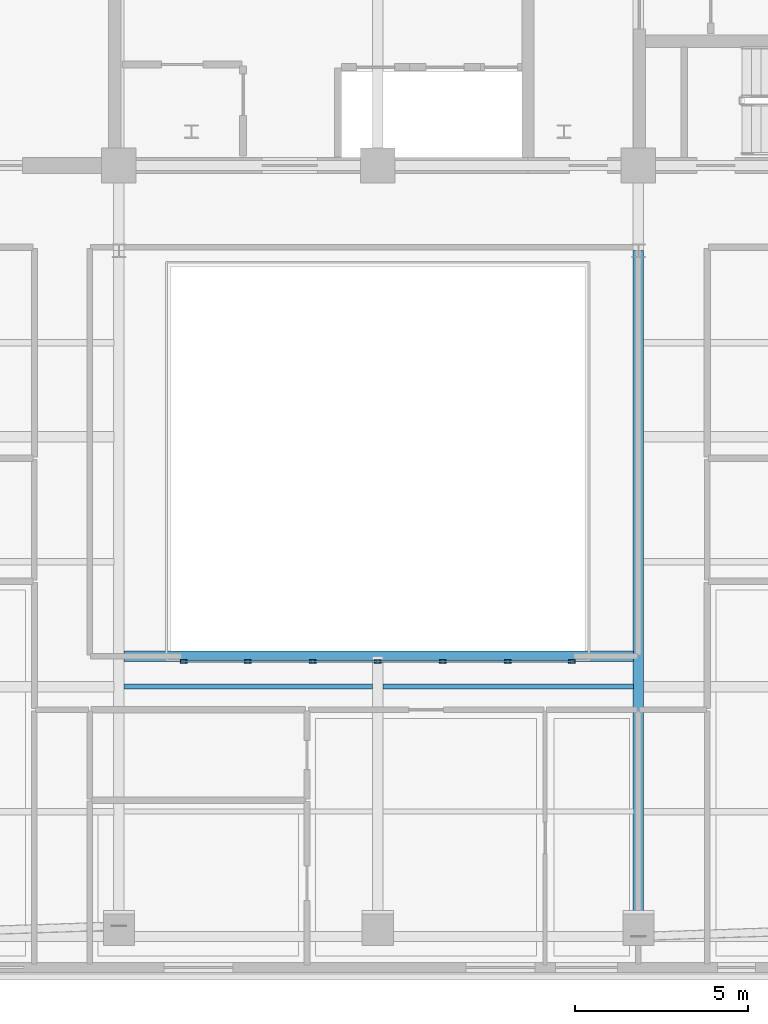
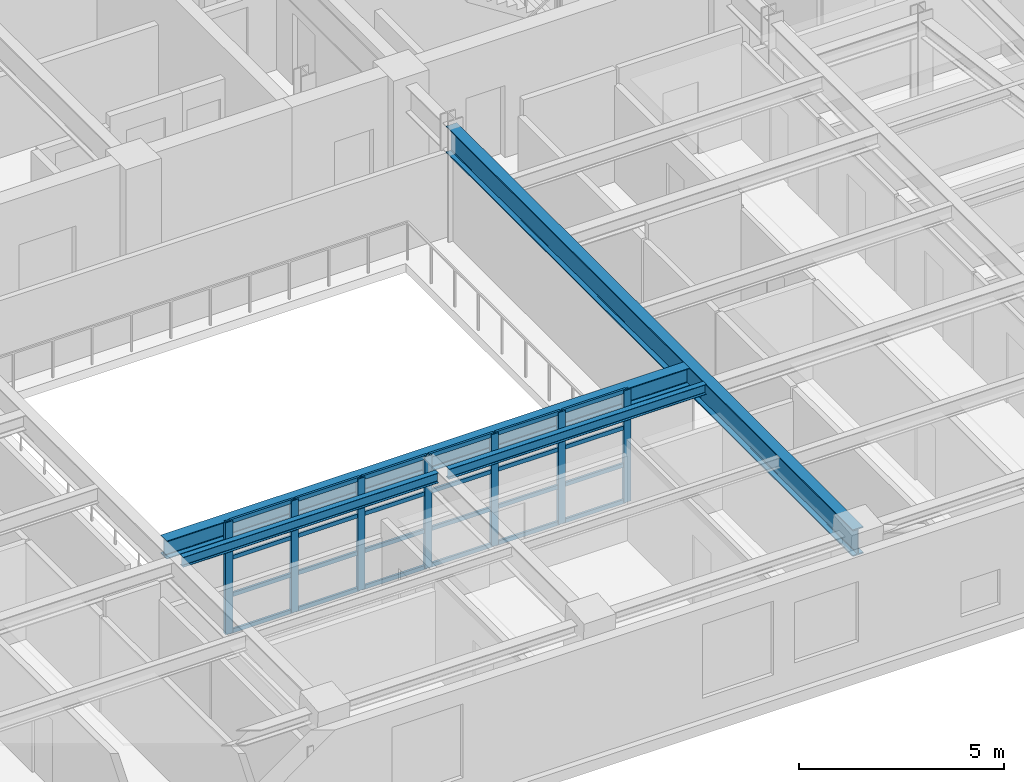
# One storey, part 2 of 14: 31 members, 4 beams, 1 element without a shape of its own.
"""IFC4 building model written with IfcOpenShell, lengths in metres."""

import ifcopenshell
import ifcopenshell.guid

model = None  # the IFC model being written
_history = None  # IfcOwnerHistory: only IFC2X3 demands one
_inside = {}  # id of a spatial element -> (the spatial element, [elements in it])
_under = {}  # id of a project, library or spatial element -> (it, [spatial elements below it])
_declared = {}  # id of a project -> (the project, [libraries it declares])
_typed = {}  # id of a type object -> (the type object, [elements of that type])
_made_of = {}  # id of a material, layer set ... -> (it, [elements and type objects made of it])


def new_model(schema):
    """Start an empty IFC model of exactly this schema.

    Asked for "IFC4X3", IfcOpenShell would pick the latest addendum, in which some entities
    have other attributes; the version numbers below select the first issue.
    IFC2X3 requires an IfcOwnerHistory on every rooted entity: one is made here for all.
    """
    global model, _history
    if schema == "IFC4X3":
        model = ifcopenshell.file(schema_version=(4, 3, 0, 0))
    else:
        model = ifcopenshell.file(schema=schema)
    _inside.clear()
    _under.clear()
    _declared.clear()
    _typed.clear()
    _made_of.clear()
    _history = None
    if model.schema == "IFC2X3":
        org = make("IfcOrganization", Name="unknown")
        user = make(
            "IfcPersonAndOrganization",
            ThePerson=make("IfcPerson", FamilyName="unknown"),
            TheOrganization=org,
        )
        app = make(
            "IfcApplication",
            ApplicationDeveloper=org,
            Version="unknown",
            ApplicationFullName="unknown",
            ApplicationIdentifier="unknown",
        )
        _history = make(
            "IfcOwnerHistory",
            OwningUser=user,
            OwningApplication=app,
            ChangeAction="ADDED",
            CreationDate=0,
        )
    return model


def make(cls, **values):
    """One entity of the class cls with the attributes given. An attribute that is None is left unset."""
    return model.create_entity(
        cls, **{name: value for name, value in values.items() if value is not None}
    )


def rooted(cls, **values):
    """An entity with a GlobalId (a new one), such as an element, a storey or a relation."""
    return make(cls, GlobalId=ifcopenshell.guid.new(), OwnerHistory=_history, **values)


def si_unit(unit_type, name, prefix=None):
    """IfcSIUnit, for example si_unit("LENGTHUNIT", "METRE", prefix="MILLI")."""
    return make("IfcSIUnit", UnitType=unit_type, Prefix=prefix, Name=name)


def assignment(units):
    """IfcUnitAssignment: the units of a project."""
    return None if units is None else make("IfcUnitAssignment", Units=units)


def point(xyz):
    """IfcCartesianPoint."""
    return None if xyz is None else make("IfcCartesianPoint", Coordinates=xyz)


def direction(xyz):
    """IfcDirection."""
    return None if xyz is None else make("IfcDirection", DirectionRatios=xyz)


def frame(location, z_axis=None, x_axis=None):
    """IfcAxis2Placement3D, a coordinate frame: its origin and axes. An axis left out is left unset."""
    return make(
        "IfcAxis2Placement3D",
        Location=point(location),
        Axis=direction(z_axis),
        RefDirection=direction(x_axis),
    )


def frame_2d(location, x_axis=None):
    """IfcAxis2Placement2D, a coordinate frame in the plane: its origin and x axis."""
    return make(
        "IfcAxis2Placement2D", Location=point(location), RefDirection=direction(x_axis)
    )


def origin():
    """The frame at (0, 0, 0) with its axes left unset."""
    return frame((0.0, 0.0, 0.0))


def origin_2d():
    """The frame at (0, 0) in the plane with its x axis left unset."""
    return frame_2d((0.0, 0.0))


def place(relative_to, where):
    """IfcLocalPlacement: puts the frame where relative to a parent placement (None: the world)."""
    return make(
        "IfcLocalPlacement", PlacementRelTo=relative_to, RelativePlacement=where
    )


def context(
    kind, dimensions, precision=None, world=None, true_north=None, identifier=None
):
    """IfcGeometricRepresentationContext, for example the 3D "Model" context."""
    return make(
        "IfcGeometricRepresentationContext",
        ContextIdentifier=identifier,
        ContextType=kind,
        CoordinateSpaceDimension=dimensions,
        Precision=precision,
        WorldCoordinateSystem=world,
        TrueNorth=true_north,
    )


def subcontext(parent, identifier, kind, view, scale=None):
    """IfcGeometricRepresentationSubContext, for example "Body" below "Model"."""
    return make(
        "IfcGeometricRepresentationSubContext",
        ContextIdentifier=identifier,
        ContextType=kind,
        ParentContext=parent,
        TargetScale=scale,
        TargetView=view,
    )


def project(units=None, contexts=None):
    """IfcProject with its units and contexts."""
    return rooted(
        "IfcProject",
        Name="project",
        RepresentationContexts=contexts,
        UnitsInContext=assignment(units),
    )


def spatial(cls, under=None, at=None, **own):
    """A site, building, storey or space (cls), placed at a placement, below another one or the project."""
    s = rooted(cls, ObjectPlacement=at, **own)
    if under is not None:
        _under.setdefault(under.id(), (under, []))[1].append(s)
    return s


def profile(cls, at=None, kind="AREA", **sizes):
    """A parametric profile (cls). Its sizes go by their IFC names, for example OverallWidth=200.0."""
    return make(cls, ProfileType=kind, Position=at, **sizes)


def hollow_rectangle(**sizes):
    """IfcRectangleHollowProfileDef."""
    return profile("IfcRectangleHollowProfileDef", **sizes)


def i_section(**sizes):
    """IfcIShapeProfileDef."""
    return profile("IfcIShapeProfileDef", **sizes)


def extrude(swept, where, along, depth):
    """IfcExtrudedAreaSolid: the profile swept, set in the frame where, extruded along a direction by depth."""
    return make(
        "IfcExtrudedAreaSolid",
        SweptArea=swept,
        Position=where,
        ExtrudedDirection=direction(along),
        Depth=depth,
    )


def shape(context_of_items, identifier, shape_type, items):
    """IfcShapeRepresentation: the items that make up one representation, for example the "Body"."""
    return make(
        "IfcShapeRepresentation",
        ContextOfItems=context_of_items,
        RepresentationIdentifier=identifier,
        RepresentationType=shape_type,
        Items=items,
    )


def material(Name=None, Category=None):
    """IfcMaterial."""
    return make("IfcMaterial", Name=Name, Category=Category)


def layer(
    of_material, thickness, ventilated=None, Name=None, Category=None, Priority=None
):
    """IfcMaterialLayer: one layer of a wall or slab, of a material (None: an air gap)."""
    return make(
        "IfcMaterialLayer",
        Material=of_material,
        LayerThickness=thickness,
        IsVentilated=ventilated,
        Name=Name,
        Category=Category,
        Priority=Priority,
    )


def layer_set(layers, Name=None):
    """IfcMaterialLayerSet."""
    return make("IfcMaterialLayerSet", MaterialLayers=layers, LayerSetName=Name)


def material_profile(
    of_material, cross_section, Name=None, Category=None, Priority=None
):
    """IfcMaterialProfile: a cross section and its material."""
    return make(
        "IfcMaterialProfile",
        Name=Name,
        Material=of_material,
        Profile=cross_section,
        Priority=Priority,
        Category=Category,
    )


def profile_set(profiles, Name=None, composite=None):
    """IfcMaterialProfileSet."""
    return make(
        "IfcMaterialProfileSet",
        Name=Name,
        MaterialProfiles=profiles,
        CompositeProfile=composite,
    )


def made_of(thing, what):
    """Note that an element or type object is made of a material, layer set ...; save() writes the relation."""
    if what is not None:
        _made_of.setdefault(what.id(), (what, []))[1].append(thing)
    return thing


def type_object(cls, material=None, **own):
    """A type object (cls), such as IfcWallType, which elements share."""
    return made_of(rooted(cls, **own), material)


def element(
    cls,
    number,
    at=None,
    inside=None,
    cuts=None,
    type_object=None,
    material=None,
    context=None,
    identifier="Body",
    shape_type=None,
    held_by="IfcProductDefinitionShape",
    body=None,
    shapes=None,
    **own,
):
    """One element of the class cls, such as IfcWall. Its Tag is "e" and its number.

    at: its placement. inside: the storey or other place that contains it. cuts: it is an
    opening in that element (IfcRelVoidsElement). A single representation is given by context,
    identifier, shape_type and body (its items); several are given by shapes. held_by: the class
    of the entity that holds the representations. save() writes the other relations.
    """
    e = rooted(cls, Tag="e%d" % number, ObjectPlacement=at, **own)
    if body is not None:
        shapes = [shape(context, identifier, shape_type, body)]
    if shapes is not None:
        e.Representation = make(held_by, Representations=shapes)
    if inside is not None:
        _inside.setdefault(inside.id(), (inside, []))[1].append(e)
    if cuts is not None:
        rooted(
            "IfcRelVoidsElement", RelatingBuildingElement=cuts, RelatedOpeningElement=e
        )
    if type_object is not None:
        _typed.setdefault(type_object.id(), (type_object, []))[1].append(e)
    return made_of(e, material)


def aggregate(whole, parts):
    """IfcRelAggregates: a whole, such as a stair, and the parts it consists of."""
    return rooted("IfcRelAggregates", RelatingObject=whole, RelatedObjects=parts)


def save(model, path):
    """Write the relations noted so far, then the file.

    IfcRelAggregates (storeys below a building ...), IfcRelContainedInSpatialStructure (elements
    in a storey), IfcRelDefinesByType, IfcRelAssociatesMaterial and IfcRelDeclares: one each for
    every whole, place, type object, material and project.
    """
    for whole, parts in _under.values():
        aggregate(whole, parts)
    for where, things in _inside.values():
        rooted(
            "IfcRelContainedInSpatialStructure",
            RelatedElements=things,
            RelatingStructure=where,
        )
    for kind, things in _typed.values():
        rooted("IfcRelDefinesByType", RelatedObjects=things, RelatingType=kind)
    for what, things in _made_of.values():
        rooted("IfcRelAssociatesMaterial", RelatedObjects=things, RelatingMaterial=what)
    for by, libraries in _declared.values():
        rooted("IfcRelDeclares", RelatingContext=by, RelatedDefinitions=libraries)
    model.write(path)


model = new_model("IFC4")

# Units and contexts
model_context = context("Model", 3, precision=1e-05, world=origin(), true_north=direction((0.0, 1.0)))
body_context = subcontext(model_context, "Body", "Model", "MODEL_VIEW")
ifc_project = project(units=[si_unit("LENGTHUNIT", "METRE"), si_unit("AREAUNIT", "SQUARE_METRE"), si_unit("VOLUMEUNIT", "CUBIC_METRE"), si_unit("PLANEANGLEUNIT", "RADIAN"), si_unit("MASSUNIT", "GRAM", prefix="KILO")], contexts=[model_context])

# Site, building, storey
site_placement = place(None, origin())
site = spatial("IfcSite", under=ifc_project, at=site_placement, CompositionType="ELEMENT")
building_placement = place(site_placement, origin())
building = spatial("IfcBuilding", under=site, at=building_placement, Name="Zarnavel Station Tower", CompositionType="ELEMENT")
storey_placement = place(building_placement, frame((0.0, 0.0, 225.60009765625)))
storey = spatial("IfcBuildingStorey", under=building, at=storey_placement, Name="L61", CompositionType="ELEMENT", Elevation=225.60009765625)

# Curtain wall, members
ifc_material_1 = material(Name="Aluminium Dark Anodised and Solar-Control Glass", Category="aluminium")
ifc_layer = layer(ifc_material_1, 0.179931640625)
ifc_layer_set = layer_set([ifc_layer], Name="CWS5")
curtain_wall_type = type_object("IfcCurtainWallType", Name="CWS5", PredefinedType="NOTDEFINED", material=ifc_layer_set)
curtain_wall_placement = place(storey_placement, origin())
curtain_wall = element("IfcCurtainWall", 1, at=curtain_wall_placement, inside=storey, type_object=curtain_wall_type, Name="L61 Curtain Wall CWS5-L61-AS", PredefinedType="NOTDEFINED")
ifc_material_2 = material(Name="Steel S355J2 (Black Fluoropolymer Coated)", Category="steel")
ifc_material_profile_1 = material_profile(ifc_material_2, hollow_rectangle(XDim=0.10009765625, YDim=0.199951171875, WallThickness=0.008056640625, at=origin_2d()), Name="RHS200x100x8")
ifc_profile_set_1 = profile_set([ifc_material_profile_1], Name="Steel S355J2 (Black Fluoropolymer Coated)")
member_type_1 = type_object("IfcMemberType", Name="CWS5_MUL", PredefinedType="MULLION", material=ifc_profile_set_1)
member_1_placement = place(storey_placement, frame((23.179931640625, 13.449951171875, 0.0), z_axis=(0.0, 0.0, 1.0), x_axis=(0.0, 1.0, 0.0)))
member_1 = element("IfcMember", 2, at=member_1_placement, type_object=member_type_1, Name="CW5 mullion 1", PredefinedType="MULLION", context=body_context, shape_type="SweptSolid", body=[
    extrude(hollow_rectangle(XDim=0.10009765625, YDim=0.199951171875, WallThickness=0.008056640625, at=origin_2d()), origin(), (0.0, 0.0, 1.0), 3.33984375),
])
member_2_placement = place(storey_placement, frame((25.033447265625, 13.449951171875, 0.0), z_axis=(0.0, 0.0, 1.0), x_axis=(0.0, 1.0, 0.0)))
member_2 = element("IfcMember", 3, at=member_2_placement, type_object=member_type_1, Name="CW5 mullion 2", PredefinedType="MULLION", context=body_context, shape_type="SweptSolid", body=[
    extrude(hollow_rectangle(XDim=0.10009765625, YDim=0.199951171875, WallThickness=0.008056640625, at=origin_2d()), origin(), (0.0, 0.0, 1.0), 3.33984375),
])
member_3_placement = place(storey_placement, frame((26.916748046875, 13.449951171875, 0.0), z_axis=(0.0, 0.0, 1.0), x_axis=(0.0, 1.0, 0.0)))
member_3 = element("IfcMember", 4, at=member_3_placement, type_object=member_type_1, Name="CW5 mullion 3", PredefinedType="MULLION", context=body_context, shape_type="SweptSolid", body=[
    extrude(hollow_rectangle(XDim=0.10009765625, YDim=0.199951171875, WallThickness=0.008056640625, at=origin_2d()), origin(), (0.0, 0.0, 1.0), 3.33984375),
])
member_4_placement = place(storey_placement, frame((28.800048828125, 13.449951171875, 0.0), z_axis=(0.0, 0.0, 1.0), x_axis=(0.0, 1.0, 0.0)))
member_4 = element("IfcMember", 5, at=member_4_placement, type_object=member_type_1, Name="CW5 mullion 4", PredefinedType="MULLION", context=body_context, shape_type="SweptSolid", body=[
    extrude(hollow_rectangle(XDim=0.10009765625, YDim=0.199951171875, WallThickness=0.008056640625, at=origin_2d()), origin(), (0.0, 0.0, 1.0), 3.33984375),
])
member_5_placement = place(storey_placement, frame((30.683349609375, 13.449951171875, 0.0), z_axis=(0.0, 0.0, 1.0), x_axis=(0.0, 1.0, 0.0)))
member_5 = element("IfcMember", 6, at=member_5_placement, type_object=member_type_1, Name="CW5 mullion 5", PredefinedType="MULLION", context=body_context, shape_type="SweptSolid", body=[
    extrude(hollow_rectangle(XDim=0.10009765625, YDim=0.199951171875, WallThickness=0.008056640625, at=origin_2d()), origin(), (0.0, 0.0, 1.0), 3.33984375),
])
member_6_placement = place(storey_placement, frame((32.566650390625, 13.449951171875, 0.0), z_axis=(0.0, 0.0, 1.0), x_axis=(0.0, 1.0, 0.0)))
member_6 = element("IfcMember", 7, at=member_6_placement, type_object=member_type_1, Name="CW5 mullion 6", PredefinedType="MULLION", context=body_context, shape_type="SweptSolid", body=[
    extrude(hollow_rectangle(XDim=0.10009765625, YDim=0.199951171875, WallThickness=0.008056640625, at=origin_2d()), origin(), (0.0, 0.0, 1.0), 3.33984375),
])
member_7_placement = place(storey_placement, frame((34.419921875, 13.449951171875, 0.0), z_axis=(0.0, 0.0, 1.0), x_axis=(0.0, 1.0, 0.0)))
member_7 = element("IfcMember", 8, at=member_7_placement, type_object=member_type_1, Name="CW5 mullion 7", PredefinedType="MULLION", context=body_context, shape_type="SweptSolid", body=[
    extrude(hollow_rectangle(XDim=0.10009765625, YDim=0.199951171875, WallThickness=0.008056640625, at=origin_2d()), origin(), (0.0, 0.0, 1.0), 3.33984375),
])
ifc_material_3 = material(Name="Steel S355J2 (Black Fluoropolymer Coated)", Category="steel")
ifc_material_profile_2 = material_profile(ifc_material_3, hollow_rectangle(XDim=0.06005859375, YDim=0.1201171875, WallThickness=0.0048828125, at=origin_2d()), Name="RHS120x60x5")
ifc_profile_set_2 = profile_set([ifc_material_profile_2], Name="Steel S355J2 (Black Fluoropolymer Coated)")
member_type_2 = type_object("IfcMemberType", Name="CWS5_TRN", PredefinedType="USERDEFINED", material=ifc_profile_set_2)
member_8_placement = place(storey_placement, frame((23.2099609375, 13.449951171875, 0.02978515625), z_axis=(1.0, 0.0, 0.0), x_axis=(0.0, 1.0, 0.0)))
member_8 = element("IfcMember", 9, at=member_8_placement, type_object=member_type_2, Name="CW5 transom 1.1", ObjectType="TRANSOM", PredefinedType="USERDEFINED", context=body_context, shape_type="SweptSolid", body=[
    extrude(hollow_rectangle(XDim=0.06005859375, YDim=0.1201171875, WallThickness=0.0048828125, at=origin_2d()), origin(), (0.0, 0.0, 1.0), 1.79345703125),
])
member_9_placement = place(storey_placement, frame((23.2099609375, 13.449951171875, 1.11328125), z_axis=(1.0, 0.0, 0.0), x_axis=(0.0, 1.0, 0.0)))
member_9 = element("IfcMember", 10, at=member_9_placement, type_object=member_type_2, Name="CW5 transom 1.2", ObjectType="TRANSOM", PredefinedType="USERDEFINED", context=body_context, shape_type="SweptSolid", body=[
    extrude(hollow_rectangle(XDim=0.06005859375, YDim=0.1201171875, WallThickness=0.0048828125, at=origin_2d()), origin(), (0.0, 0.0, 1.0), 1.79345703125),
])
member_10_placement = place(storey_placement, frame((23.2099609375, 13.449951171875, 2.2265625), z_axis=(1.0, 0.0, 0.0), x_axis=(0.0, 1.0, 0.0)))
member_10 = element("IfcMember", 11, at=member_10_placement, type_object=member_type_2, Name="CW5 transom 1.3", ObjectType="TRANSOM", PredefinedType="USERDEFINED", context=body_context, shape_type="SweptSolid", body=[
    extrude(hollow_rectangle(XDim=0.06005859375, YDim=0.1201171875, WallThickness=0.0048828125, at=origin_2d()), origin(), (0.0, 0.0, 1.0), 1.79345703125),
])
member_11_placement = place(storey_placement, frame((23.2099609375, 13.449951171875, 3.309814453125), z_axis=(1.0, 0.0, 0.0), x_axis=(0.0, 1.0, 0.0)))
member_11 = element("IfcMember", 12, at=member_11_placement, type_object=member_type_2, Name="CW5 transom 1.4", ObjectType="TRANSOM", PredefinedType="USERDEFINED", context=body_context, shape_type="SweptSolid", body=[
    extrude(hollow_rectangle(XDim=0.06005859375, YDim=0.1201171875, WallThickness=0.0048828125, at=origin_2d()), origin(), (0.0, 0.0, 1.0), 1.79345703125),
])
member_12_placement = place(storey_placement, frame((25.063232421875, 13.449951171875, 0.02978515625), z_axis=(1.0, 0.0, 0.0), x_axis=(0.0, 1.0, 0.0)))
member_12 = element("IfcMember", 13, at=member_12_placement, type_object=member_type_2, Name="CW5 transom 2.1", ObjectType="TRANSOM", PredefinedType="USERDEFINED", context=body_context, shape_type="SweptSolid", body=[
    extrude(hollow_rectangle(XDim=0.06005859375, YDim=0.1201171875, WallThickness=0.0048828125, at=origin_2d()), origin(), (0.0, 0.0, 1.0), 1.823486328125),
])
member_13_placement = place(storey_placement, frame((25.063232421875, 13.449951171875, 1.11328125), z_axis=(1.0, 0.0, 0.0), x_axis=(0.0, 1.0, 0.0)))
member_13 = element("IfcMember", 14, at=member_13_placement, type_object=member_type_2, Name="CW5 transom 2.2", ObjectType="TRANSOM", PredefinedType="USERDEFINED", context=body_context, shape_type="SweptSolid", body=[
    extrude(hollow_rectangle(XDim=0.06005859375, YDim=0.1201171875, WallThickness=0.0048828125, at=origin_2d()), origin(), (0.0, 0.0, 1.0), 1.823486328125),
])
member_14_placement = place(storey_placement, frame((25.063232421875, 13.449951171875, 2.2265625), z_axis=(1.0, 0.0, 0.0), x_axis=(0.0, 1.0, 0.0)))
member_14 = element("IfcMember", 15, at=member_14_placement, type_object=member_type_2, Name="CW5 transom 2.3", ObjectType="TRANSOM", PredefinedType="USERDEFINED", context=body_context, shape_type="SweptSolid", body=[
    extrude(hollow_rectangle(XDim=0.06005859375, YDim=0.1201171875, WallThickness=0.0048828125, at=origin_2d()), origin(), (0.0, 0.0, 1.0), 1.823486328125),
])
member_15_placement = place(storey_placement, frame((25.063232421875, 13.449951171875, 3.309814453125), z_axis=(1.0, 0.0, 0.0), x_axis=(0.0, 1.0, 0.0)))
member_15 = element("IfcMember", 16, at=member_15_placement, type_object=member_type_2, Name="CW5 transom 2.4", ObjectType="TRANSOM", PredefinedType="USERDEFINED", context=body_context, shape_type="SweptSolid", body=[
    extrude(hollow_rectangle(XDim=0.06005859375, YDim=0.1201171875, WallThickness=0.0048828125, at=origin_2d()), origin(), (0.0, 0.0, 1.0), 1.823486328125),
])
member_16_placement = place(storey_placement, frame((26.94677734375, 13.449951171875, 0.02978515625), z_axis=(1.0, 0.0, 0.0), x_axis=(0.0, 1.0, 0.0)))
member_16 = element("IfcMember", 17, at=member_16_placement, type_object=member_type_2, Name="CW5 transom 3.1", ObjectType="TRANSOM", PredefinedType="USERDEFINED", context=body_context, shape_type="SweptSolid", body=[
    extrude(hollow_rectangle(XDim=0.06005859375, YDim=0.1201171875, WallThickness=0.0048828125, at=origin_2d()), origin(), (0.0, 0.0, 1.0), 1.8232421875),
])
member_17_placement = place(storey_placement, frame((26.94677734375, 13.449951171875, 1.11328125), z_axis=(1.0, 0.0, 0.0), x_axis=(0.0, 1.0, 0.0)))
member_17 = element("IfcMember", 18, at=member_17_placement, type_object=member_type_2, Name="CW5 transom 3.2", ObjectType="TRANSOM", PredefinedType="USERDEFINED", context=body_context, shape_type="SweptSolid", body=[
    extrude(hollow_rectangle(XDim=0.06005859375, YDim=0.1201171875, WallThickness=0.0048828125, at=origin_2d()), origin(), (0.0, 0.0, 1.0), 1.8232421875),
])
member_18_placement = place(storey_placement, frame((26.94677734375, 13.449951171875, 2.2265625), z_axis=(1.0, 0.0, 0.0), x_axis=(0.0, 1.0, 0.0)))
member_18 = element("IfcMember", 19, at=member_18_placement, type_object=member_type_2, Name="CW5 transom 3.3", ObjectType="TRANSOM", PredefinedType="USERDEFINED", context=body_context, shape_type="SweptSolid", body=[
    extrude(hollow_rectangle(XDim=0.06005859375, YDim=0.1201171875, WallThickness=0.0048828125, at=origin_2d()), origin(), (0.0, 0.0, 1.0), 1.8232421875),
])
member_19_placement = place(storey_placement, frame((26.94677734375, 13.449951171875, 3.309814453125), z_axis=(1.0, 0.0, 0.0), x_axis=(0.0, 1.0, 0.0)))
member_19 = element("IfcMember", 20, at=member_19_placement, type_object=member_type_2, Name="CW5 transom 3.4", ObjectType="TRANSOM", PredefinedType="USERDEFINED", context=body_context, shape_type="SweptSolid", body=[
    extrude(hollow_rectangle(XDim=0.06005859375, YDim=0.1201171875, WallThickness=0.0048828125, at=origin_2d()), origin(), (0.0, 0.0, 1.0), 1.8232421875),
])
member_20_placement = place(storey_placement, frame((28.830078125, 13.449951171875, 0.02978515625), z_axis=(1.0, 0.0, 0.0), x_axis=(0.0, 1.0, 0.0)))
member_20 = element("IfcMember", 21, at=member_20_placement, type_object=member_type_2, Name="CW5 transom 4.1", ObjectType="TRANSOM", PredefinedType="USERDEFINED", context=body_context, shape_type="SweptSolid", body=[
    extrude(hollow_rectangle(XDim=0.06005859375, YDim=0.1201171875, WallThickness=0.0048828125, at=origin_2d()), origin(), (0.0, 0.0, 1.0), 1.8232421875),
])
member_21_placement = place(storey_placement, frame((28.830078125, 13.449951171875, 1.11328125), z_axis=(1.0, 0.0, 0.0), x_axis=(0.0, 1.0, 0.0)))
member_21 = element("IfcMember", 22, at=member_21_placement, type_object=member_type_2, Name="CW5 transom 4.2", ObjectType="TRANSOM", PredefinedType="USERDEFINED", context=body_context, shape_type="SweptSolid", body=[
    extrude(hollow_rectangle(XDim=0.06005859375, YDim=0.1201171875, WallThickness=0.0048828125, at=origin_2d()), origin(), (0.0, 0.0, 1.0), 1.8232421875),
])
member_22_placement = place(storey_placement, frame((28.830078125, 13.449951171875, 2.2265625), z_axis=(1.0, 0.0, 0.0), x_axis=(0.0, 1.0, 0.0)))
member_22 = element("IfcMember", 23, at=member_22_placement, type_object=member_type_2, Name="CW5 transom 4.3", ObjectType="TRANSOM", PredefinedType="USERDEFINED", context=body_context, shape_type="SweptSolid", body=[
    extrude(hollow_rectangle(XDim=0.06005859375, YDim=0.1201171875, WallThickness=0.0048828125, at=origin_2d()), origin(), (0.0, 0.0, 1.0), 1.8232421875),
])
member_23_placement = place(storey_placement, frame((28.830078125, 13.449951171875, 3.309814453125), z_axis=(1.0, 0.0, 0.0), x_axis=(0.0, 1.0, 0.0)))
member_23 = element("IfcMember", 24, at=member_23_placement, type_object=member_type_2, Name="CW5 transom 4.4", ObjectType="TRANSOM", PredefinedType="USERDEFINED", context=body_context, shape_type="SweptSolid", body=[
    extrude(hollow_rectangle(XDim=0.06005859375, YDim=0.1201171875, WallThickness=0.0048828125, at=origin_2d()), origin(), (0.0, 0.0, 1.0), 1.8232421875),
])
member_24_placement = place(storey_placement, frame((30.71337890625, 13.449951171875, 0.02978515625), z_axis=(1.0, 0.0, 0.0), x_axis=(0.0, 1.0, 0.0)))
member_24 = element("IfcMember", 25, at=member_24_placement, type_object=member_type_2, Name="CW5 transom 5.1", ObjectType="TRANSOM", PredefinedType="USERDEFINED", context=body_context, shape_type="SweptSolid", body=[
    extrude(hollow_rectangle(XDim=0.06005859375, YDim=0.1201171875, WallThickness=0.0048828125, at=origin_2d()), origin(), (0.0, 0.0, 1.0), 1.8232421875),
])
member_25_placement = place(storey_placement, frame((30.71337890625, 13.449951171875, 1.11328125), z_axis=(1.0, 0.0, 0.0), x_axis=(0.0, 1.0, 0.0)))
member_25 = element("IfcMember", 26, at=member_25_placement, type_object=member_type_2, Name="CW5 transom 5.2", ObjectType="TRANSOM", PredefinedType="USERDEFINED", context=body_context, shape_type="SweptSolid", body=[
    extrude(hollow_rectangle(XDim=0.06005859375, YDim=0.1201171875, WallThickness=0.0048828125, at=origin_2d()), origin(), (0.0, 0.0, 1.0), 1.8232421875),
])
member_26_placement = place(storey_placement, frame((30.71337890625, 13.449951171875, 2.2265625), z_axis=(1.0, 0.0, 0.0), x_axis=(0.0, 1.0, 0.0)))
member_26 = element("IfcMember", 27, at=member_26_placement, type_object=member_type_2, Name="CW5 transom 5.3", ObjectType="TRANSOM", PredefinedType="USERDEFINED", context=body_context, shape_type="SweptSolid", body=[
    extrude(hollow_rectangle(XDim=0.06005859375, YDim=0.1201171875, WallThickness=0.0048828125, at=origin_2d()), origin(), (0.0, 0.0, 1.0), 1.8232421875),
])
member_27_placement = place(storey_placement, frame((30.71337890625, 13.449951171875, 3.309814453125), z_axis=(1.0, 0.0, 0.0), x_axis=(0.0, 1.0, 0.0)))
member_27 = element("IfcMember", 28, at=member_27_placement, type_object=member_type_2, Name="CW5 transom 5.4", ObjectType="TRANSOM", PredefinedType="USERDEFINED", context=body_context, shape_type="SweptSolid", body=[
    extrude(hollow_rectangle(XDim=0.06005859375, YDim=0.1201171875, WallThickness=0.0048828125, at=origin_2d()), origin(), (0.0, 0.0, 1.0), 1.8232421875),
])
member_28_placement = place(storey_placement, frame((32.5966796875, 13.449951171875, 0.02978515625), z_axis=(1.0, 0.0, 0.0), x_axis=(0.0, 1.0, 0.0)))
member_28 = element("IfcMember", 29, at=member_28_placement, type_object=member_type_2, Name="CW5 transom 6.1", ObjectType="TRANSOM", PredefinedType="USERDEFINED", context=body_context, shape_type="SweptSolid", body=[
    extrude(hollow_rectangle(XDim=0.06005859375, YDim=0.1201171875, WallThickness=0.0048828125, at=origin_2d()), origin(), (0.0, 0.0, 1.0), 1.793212890625),
])
member_29_placement = place(storey_placement, frame((32.5966796875, 13.449951171875, 1.11328125), z_axis=(1.0, 0.0, 0.0), x_axis=(0.0, 1.0, 0.0)))
member_29 = element("IfcMember", 30, at=member_29_placement, type_object=member_type_2, Name="CW5 transom 6.2", ObjectType="TRANSOM", PredefinedType="USERDEFINED", context=body_context, shape_type="SweptSolid", body=[
    extrude(hollow_rectangle(XDim=0.06005859375, YDim=0.1201171875, WallThickness=0.0048828125, at=origin_2d()), origin(), (0.0, 0.0, 1.0), 1.793212890625),
])
member_30_placement = place(storey_placement, frame((32.5966796875, 13.449951171875, 2.2265625), z_axis=(1.0, 0.0, 0.0), x_axis=(0.0, 1.0, 0.0)))
member_30 = element("IfcMember", 31, at=member_30_placement, type_object=member_type_2, Name="CW5 transom 6.3", ObjectType="TRANSOM", PredefinedType="USERDEFINED", context=body_context, shape_type="SweptSolid", body=[
    extrude(hollow_rectangle(XDim=0.06005859375, YDim=0.1201171875, WallThickness=0.0048828125, at=origin_2d()), origin(), (0.0, 0.0, 1.0), 1.793212890625),
])
member_31_placement = place(storey_placement, frame((32.5966796875, 13.449951171875, 3.309814453125), z_axis=(1.0, 0.0, 0.0), x_axis=(0.0, 1.0, 0.0)))
member_31 = element("IfcMember", 32, at=member_31_placement, type_object=member_type_2, Name="CW5 transom 6.4", ObjectType="TRANSOM", PredefinedType="USERDEFINED", context=body_context, shape_type="SweptSolid", body=[
    extrude(hollow_rectangle(XDim=0.06005859375, YDim=0.1201171875, WallThickness=0.0048828125, at=origin_2d()), origin(), (0.0, 0.0, 1.0), 1.793212890625),
])
aggregate(curtain_wall, [member_1, member_2, member_3, member_4, member_5, member_6, member_7, member_8, member_9, member_10, member_11, member_12, member_13, member_14, member_15, member_16, member_17, member_18, member_19, member_20, member_21, member_22, member_23, member_24, member_25, member_26, member_27, member_28, member_29, member_30, member_31])

# Beams
ifc_material_4 = material(Name="Steel S355J2", Category="steel")
ifc_material_profile_3 = material_profile(ifc_material_4, i_section(OverallWidth=0.300048828125, OverallDepth=0.5400390625, WebThickness=0.012451171875, FlangeThickness=0.02392578125, FilletRadius=0.027099609375, at=origin_2d()), Name="HEA550")
ifc_profile_set_3 = profile_set([ifc_material_profile_3], Name="Steel S355J2")
beam_type_1 = type_object("IfcBeamType", Name="FB_HEA550", PredefinedType="BEAM", material=ifc_profile_set_3)
beam_1_placement = place(storey_placement, frame((21.445068359375, 13.60009765625, 3.06982421875), z_axis=(1.0, 0.0, 0.0), x_axis=(0.0, 1.0, 0.0)))
element("IfcBeam", 33, at=beam_1_placement, inside=storey, type_object=beam_type_1, Name="L61 Atrium South Edge Girder", PredefinedType="BEAM", context=body_context, shape_type="SweptSolid", body=[
    extrude(i_section(OverallWidth=0.300048828125, OverallDepth=0.5400390625, WebThickness=0.012451171875, FlangeThickness=0.02392578125, FilletRadius=0.027099609375, at=origin_2d()), origin(), (0.0, 0.0, 1.0), 14.760009765625),
])
ifc_material_5 = material(Name="Steel S355J2", Category="steel")
ifc_material_profile_4 = material_profile(ifc_material_5, i_section(OverallWidth=0.300048828125, OverallDepth=0.800048828125, WebThickness=0.017578125, FlangeThickness=0.032958984375, FilletRadius=0.030029296875, at=origin_2d()), Name="HEB800")
ifc_profile_set_4 = profile_set([ifc_material_profile_4], Name="Steel S355J2")
beam_type_2 = type_object("IfcBeamType", Name="FG_HEB800", PredefinedType="USERDEFINED", material=ifc_profile_set_4)
beam_2_placement = place(storey_placement, frame((36.35009765625, 5.4814453125, 2.93994140625), z_axis=(0.0, 1.0, 0.0), x_axis=(-1.0, 0.0, 0.0)))
element("IfcBeam", 34, at=beam_2_placement, inside=storey, type_object=beam_type_2, Name="L61 South-Zone NS Girder 4", ObjectType="GIRDER", PredefinedType="USERDEFINED", context=body_context, shape_type="SweptSolid", body=[
    extrude(i_section(OverallWidth=0.300048828125, OverallDepth=0.800048828125, WebThickness=0.017578125, FlangeThickness=0.032958984375, FilletRadius=0.030029296875, at=origin_2d()), origin(), (0.0, 0.0, 1.0), 19.86865234375),
])
ifc_material_6 = material(Name="Steel S355J2", Category="steel")
ifc_material_profile_5 = material_profile(ifc_material_6, i_section(OverallWidth=0.14990234375, OverallDepth=0.300048828125, WebThickness=0.007080078125, FlangeThickness=0.0107421875, FilletRadius=0.014892578125, at=origin_2d()), Name="IPE300")
ifc_profile_set_5 = profile_set([ifc_material_profile_5], Name="Steel S355J2")
beam_type_3 = type_object("IfcBeamType", Name="FJ_IPE300", PredefinedType="JOIST", material=ifc_profile_set_5)
beam_3_placement = place(storey_placement, frame((21.445068359375, 12.720947265625, 3.18994140625), z_axis=(1.0, 0.0, 0.0), x_axis=(0.0, 1.0, 0.0)))
element("IfcBeam", 35, at=beam_3_placement, inside=storey, type_object=beam_type_3, Name="L61 Mid-West Joist 2", PredefinedType="JOIST", context=body_context, shape_type="SweptSolid", body=[
    extrude(i_section(OverallWidth=0.14990234375, OverallDepth=0.300048828125, WebThickness=0.007080078125, FlangeThickness=0.0107421875, FilletRadius=0.014892578125, at=origin_2d()), origin(), (0.0, 0.0, 1.0), 7.2099609375),
])
beam_4_placement = place(storey_placement, frame((28.945068359375, 12.720947265625, 3.18994140625), z_axis=(1.0, 0.0, 0.0), x_axis=(0.0, 1.0, 0.0)))
element("IfcBeam", 36, at=beam_4_placement, inside=storey, type_object=beam_type_3, Name="L61 Mid-East Joist 2", PredefinedType="JOIST", context=body_context, shape_type="SweptSolid", body=[
    extrude(i_section(OverallWidth=0.14990234375, OverallDepth=0.300048828125, WebThickness=0.007080078125, FlangeThickness=0.0107421875, FilletRadius=0.014892578125, at=origin_2d()), origin(), (0.0, 0.0, 1.0), 7.260009765625),
])

save(model, "model.ifc")
